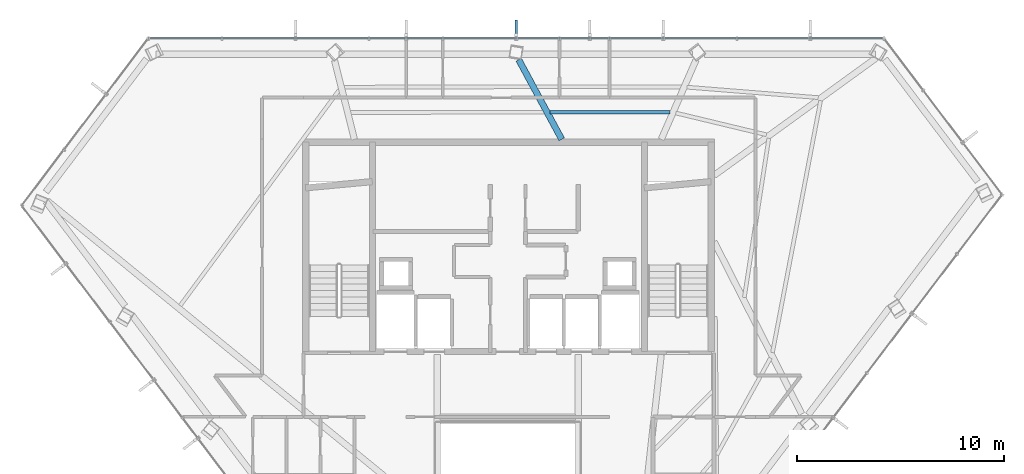
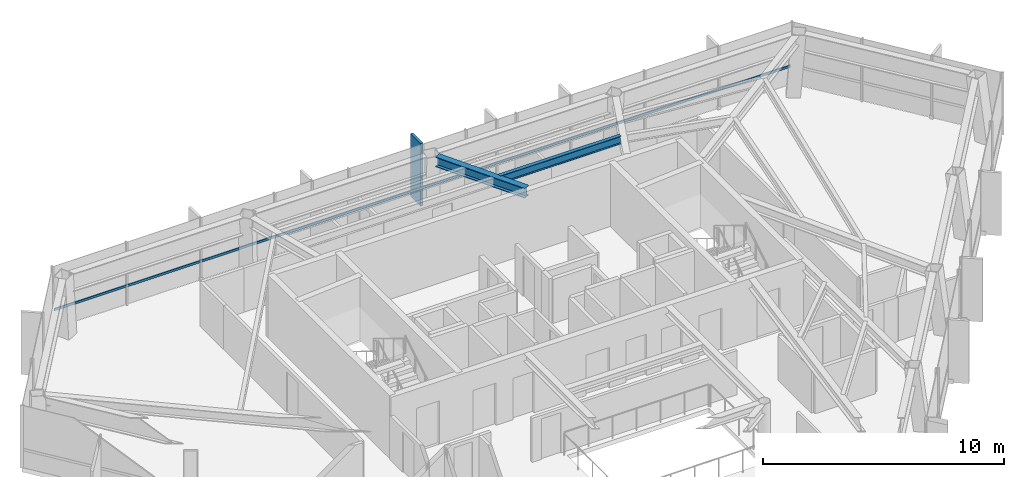
# One storey, part 14 of 27: 2 beams, 2 members, 1 element without a shape of its own.
"""IFC4 building model written with IfcOpenShell, lengths in metres."""

from ifc_helpers import new_model, si_unit, direction, frame, origin, origin_2d, place, context, subcontext, project, spatial, rectangle, hollow_rectangle, i_section, extrude, material, layer, layer_set, material_profile, profile_set, type_object, element, aggregate, save


model = new_model("IFC4")

# Units and contexts
model_context = context("Model", 3, precision=1e-05, world=origin(), true_north=direction((0.0, 1.0)))
body_context = subcontext(model_context, "Body", "Model", "MODEL_VIEW")
ifc_project = project(units=[si_unit("LENGTHUNIT", "METRE"), si_unit("AREAUNIT", "SQUARE_METRE"), si_unit("VOLUMEUNIT", "CUBIC_METRE"), si_unit("PLANEANGLEUNIT", "RADIAN"), si_unit("MASSUNIT", "GRAM", prefix="KILO")], contexts=[model_context])

# Site, building, storey
site_placement = place(None, origin())
site = spatial("IfcSite", under=ifc_project, at=site_placement, CompositionType="ELEMENT")
building_placement = place(site_placement, origin())
building = spatial("IfcBuilding", under=site, at=building_placement, Name="Zarrinselat Tower", CompositionType="ELEMENT")
storey_placement = place(building_placement, frame((0.0, 0.0, 215.56005859375)))
storey = spatial("IfcBuildingStorey", under=building, at=storey_placement, Name="L53", CompositionType="ELEMENT", Elevation=215.56005859375)

# Beams
ifc_material_1 = material(Name="Steel S355J2", Category="steel")
ifc_material_profile_1 = material_profile(ifc_material_1, i_section(OverallWidth=0.300048828125, OverallDepth=0.5, WebThickness=0.014404296875, FlangeThickness=0.028076171875, at=origin_2d()), Name="HEB 500")
ifc_profile_set_1 = profile_set([ifc_material_profile_1], Name="Steel S355J2")
beam_type_1 = type_object("IfcBeamType", Name="BM-HEB500", PredefinedType="BEAM", material=ifc_profile_set_1)
beam_1_placement = place(storey_placement, frame((38.926025390625, 47.378662109375, 2.929931640625), z_axis=(0.475347322501, -0.879798228568, 0.0), x_axis=(0.879798228568, 0.475347322501, 0.0)))
element("IfcBeam", 1, at=beam_1_placement, inside=storey, type_object=beam_type_1, Name="L53 Radial Primary Girder RG03", PredefinedType="BEAM", context=body_context, shape_type="SweptSolid", body=[
    extrude(i_section(OverallWidth=0.300048828125, OverallDepth=0.5, WebThickness=0.014404296875, FlangeThickness=0.028076171875, at=origin_2d()), origin(), (0.0, 0.0, 1.0), 4.363037109375),
])
ifc_material_2 = material(Name="Steel S355J2", Category="steel")
ifc_material_profile_2 = material_profile(ifc_material_2, i_section(OverallWidth=0.179931640625, OverallDepth=0.39990234375, WebThickness=0.008544921875, FlangeThickness=0.013427734375, at=origin_2d()), Name="IPE 400")
ifc_profile_set_2 = profile_set([ifc_material_profile_2], Name="Steel S355J2")
beam_type_2 = type_object("IfcBeamType", Name="BM-IPE400", PredefinedType="JOIST", material=ifc_profile_set_2)
beam_2_placement = place(storey_placement, frame((40.434814453125, 44.84521484375, 2.97998046875), z_axis=(0.999999800386, -0.000631844861, 0.0), x_axis=(0.000631844861, 0.999999800386, 0.0)))
element("IfcBeam", 2, at=beam_2_placement, inside=storey, type_object=beam_type_2, Name="L53 Composite Floor Joist 7-2", PredefinedType="JOIST", context=body_context, shape_type="SweptSolid", body=[
    extrude(i_section(OverallWidth=0.179931640625, OverallDepth=0.39990234375, WebThickness=0.008544921875, FlangeThickness=0.013427734375, at=origin_2d()), origin(), (0.0, 0.0, 1.0), 5.7958984375),
])

# Curtain wall, members
ifc_material_3 = material(Name="Extruded Aluminium Alloy EN AW-6063 T6", Category="aluminium")
ifc_layer = layer(ifc_material_3, 0.169921875)
ifc_layer_set = layer_set([ifc_layer], Name="Extruded Aluminium Alloy EN AW-6063 T6")
curtain_wall_type = type_object("IfcCurtainWallType", Name="CWS-RES", PredefinedType="NOTDEFINED", material=ifc_layer_set)
curtain_wall_placement = place(storey_placement, origin())
curtain_wall = element("IfcCurtainWall", 3, at=curtain_wall_placement, inside=storey, type_object=curtain_wall_type, Name="L53 Unitised Curtain Wall CW-L53-E01", PredefinedType="NOTDEFINED")
ifc_material_4 = material(Name="Extruded Aluminium Alloy EN AW-6063 T6", Category="aluminium")
ifc_material_profile_3 = material_profile(ifc_material_4, hollow_rectangle(XDim=0.06005859375, YDim=0.1201171875, WallThickness=0.00390625, at=origin_2d()), Name="RHS 120x60x4")
ifc_profile_set_3 = profile_set([ifc_material_profile_3], Name="Extruded Aluminium Alloy EN AW-6063 T6")
member_type_1 = type_object("IfcMemberType", Name="MEM-CW-TRN2", PredefinedType="USERDEFINED", material=ifc_profile_set_3)
member_1_placement = place(storey_placement, frame((56.451171875, 48.4111328125, 0.949951171875), z_axis=(-1.0, 0.0, 0.0), x_axis=(0.0, -1.0, 0.0)))
member_1 = element("IfcMember", 4, at=member_1_placement, type_object=member_type_1, Name="CW-L53-E01 Transom 1", ObjectType="TRANSOM", PredefinedType="USERDEFINED", context=body_context, shape_type="SweptSolid", body=[
    extrude(hollow_rectangle(XDim=0.06005859375, YDim=0.1201171875, WallThickness=0.00390625, at=origin_2d()), origin(), (0.0, 0.0, 1.0), 35.298583984375),
])
ifc_material_5 = material(Name="Honed Cream Travertine Stone", Category="masonry")
ifc_material_profile_4 = material_profile(ifc_material_5, rectangle(XDim=0.1201171875, YDim=0.85009765625, at=origin_2d()), Name="FIN 850x120")
ifc_profile_set_4 = profile_set([ifc_material_profile_4], Name="Honed Cream Travertine Stone")
member_type_2 = type_object("IfcMemberType", Name="MEM-STONE-FIN", PredefinedType="USERDEFINED", material=ifc_profile_set_4)
member_2_placement = place(storey_placement, frame((38.802001953125, 48.87109375, 0.0), z_axis=(0.0, 0.0, 1.0), x_axis=(1.0, 0.0, 0.0)))
member_2 = element("IfcMember", 5, at=member_2_placement, type_object=member_type_2, Name="L53 Stone Shading Fin CW-L53-E01-07", ObjectType="FIN", PredefinedType="USERDEFINED", context=body_context, shape_type="SweptSolid", body=[
    extrude(rectangle(XDim=0.1201171875, YDim=0.85009765625, at=origin_2d()), origin(), (0.0, 0.0, 1.0), 3.179931640625),
])
aggregate(curtain_wall, [member_2, member_1])

save(model, "model.ifc")
